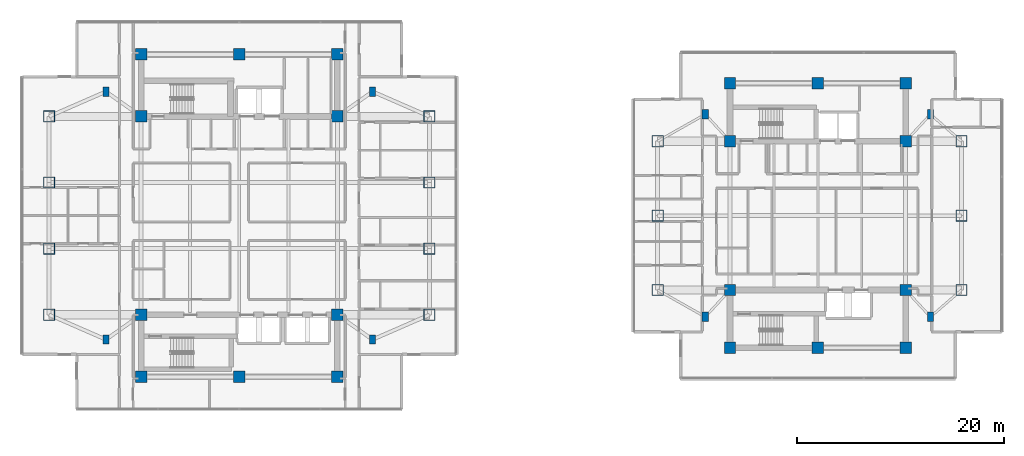
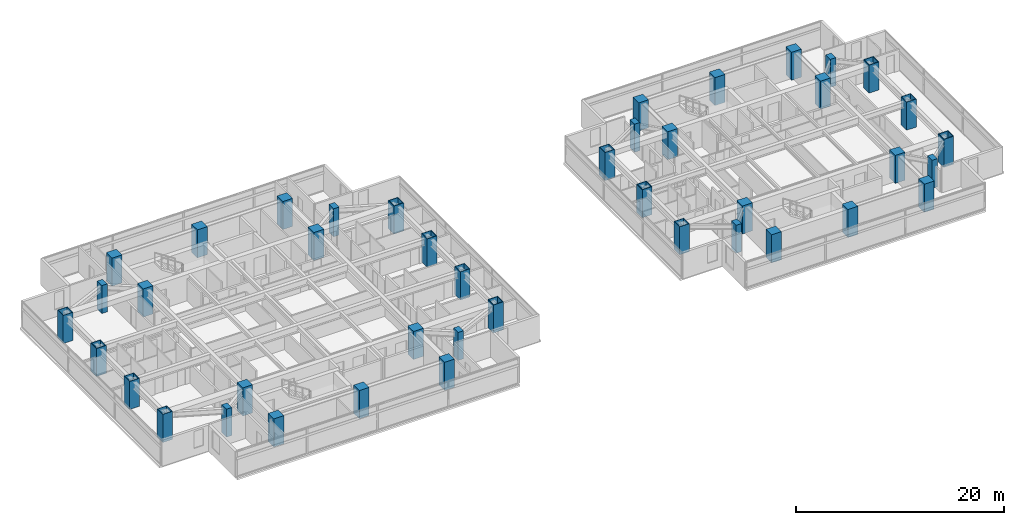
# One storey, part 1 of 25: 42 columns.
"""IFC4 building model written with IfcOpenShell, lengths in metres."""

from ifc_helpers import new_model, si_unit, direction, frame, origin, origin_2d, place, context, subcontext, project, spatial, rectangle, hollow_rectangle, extrude, material, material_profile, profile_set, type_object, element, save


model = new_model("IFC4")

# Units and contexts
model_context = context("Model", 3, precision=1e-05, world=origin(), true_north=direction((0.0, 1.0)))
body_context = subcontext(model_context, "Body", "Model", "MODEL_VIEW")
ifc_project = project(units=[si_unit("LENGTHUNIT", "METRE"), si_unit("AREAUNIT", "SQUARE_METRE"), si_unit("VOLUMEUNIT", "CUBIC_METRE"), si_unit("PLANEANGLEUNIT", "RADIAN"), si_unit("MASSUNIT", "GRAM", prefix="KILO")], contexts=[model_context])

# Site, building, storey
site_placement = place(None, origin())
site = spatial("IfcSite", under=ifc_project, at=site_placement, CompositionType="ELEMENT")
building_placement = place(site_placement, origin())
building = spatial("IfcBuilding", under=site, at=building_placement, Name="Mirazonda Arch Towers", CompositionType="ELEMENT")
storey_placement = place(building_placement, frame((0.0, 0.0, 131.300048828125)))
storey = spatial("IfcBuildingStorey", under=building, at=storey_placement, Name="L37", CompositionType="ELEMENT", Elevation=131.300048828125)

# Columns
ifc_material_1 = material(Name="Concrete C50/60", Category="concrete")
ifc_material_profile_1 = material_profile(ifc_material_1, rectangle(XDim=1.10009765625, YDim=1.10009765625, at=origin_2d()), Name="RC1100x1100")
ifc_profile_set_1 = profile_set([ifc_material_profile_1], Name="Concrete C50/60")
column_type_1 = type_object("IfcColumnType", Name="COL-INT-RC1100x1100", PredefinedType="COLUMN", material=ifc_profile_set_1)
for number, where, z_axis, x_axis, name in (
    (1, (11.0, 12.39990234375, 0.0), (0.0, 0.0, 1.0), (1.0, 0.0, 0.0), "L37 T1 Core Column 01"),
    (2, (20.5, 12.39990234375, 0.0), (0.0, 0.0, 1.0), (1.0, 0.0, 0.0), "L37 T1 Core Column 02"),
    (3, (30.0, 12.39990234375, 0.0), (0.0, 0.0, 1.0), (1.0, 0.0, 0.0), "L37 T1 Core Column 03"),
    (4, (11.0, 18.39990234375, 0.0), (0.0, 0.0, 1.0), (1.0, 0.0, 0.0), "L37 T1 Core Column 04"),
    (5, (30.0, 18.39990234375, 0.0), (0.0, 0.0, 1.0), (1.0, 0.0, 0.0), "L37 T1 Core Column 05"),
    (6, (11.0, 37.60009765625, 0.0), (0.0, 0.0, 1.0), (1.0, 0.0, 0.0), "L37 T1 Core Column 06"),
    (7, (30.0, 37.60009765625, 0.0), (0.0, 0.0, 1.0), (1.0, 0.0, 0.0), "L37 T1 Core Column 07"),
    (8, (11.0, 43.60009765625, 0.0), (0.0, 0.0, 1.0), (1.0, 0.0, 0.0), "L37 T1 Core Column 08"),
    (9, (20.5, 43.60009765625, 0.0), (0.0, 0.0, 1.0), (1.0, 0.0, 0.0), "L37 T1 Core Column 09"),
    (10, (30.0, 43.60009765625, 0.0), (0.0, 0.0, 1.0), (1.0, 0.0, 0.0), "L37 T1 Core Column 10"),
    (11, (68.0, 15.199951171875, 0.0), (0.0, 0.0, 1.0), (1.0, 0.0, 0.0), "L37 T2 Core Column 01"),
    (12, (76.5, 15.199951171875, 0.0), (0.0, 0.0, 1.0), (1.0, 0.0, 0.0), "L37 T2 Core Column 02"),
    (13, (85.0, 15.199951171875, 0.0), (0.0, 0.0, 1.0), (1.0, 0.0, 0.0), "L37 T2 Core Column 03"),
    (14, (68.0, 20.800048828125, 0.0), (0.0, 0.0, 1.0), (1.0, 0.0, 0.0), "L37 T2 Core Column 04"),
    (15, (85.0, 20.800048828125, 0.0), (0.0, 0.0, 1.0), (1.0, 0.0, 0.0), "L37 T2 Core Column 05"),
    (16, (68.0, 35.199951171875, 0.0), (0.0, 0.0, 1.0), (1.0, 0.0, 0.0), "L37 T2 Core Column 06"),
    (17, (85.0, 35.199951171875, 0.0), (0.0, 0.0, 1.0), (1.0, 0.0, 0.0), "L37 T2 Core Column 07"),
    (18, (68.0, 40.800048828125, 0.0), (0.0, 0.0, 1.0), (1.0, 0.0, 0.0), "L37 T2 Core Column 08"),
    (19, (76.5, 40.800048828125, 0.0), (0.0, 0.0, 1.0), (1.0, 0.0, 0.0), "L37 T2 Core Column 09"),
    (20, (85.0, 40.800048828125, 0.0), (0.0, 0.0, 1.0), (1.0, 0.0, 0.0), "L37 T2 Core Column 10"),
):
    element("IfcColumn", number, at=place(storey_placement, frame(where, z_axis=z_axis, x_axis=x_axis)), inside=storey, type_object=column_type_1, Name=name, PredefinedType="COLUMN", context=body_context, shape_type="SweptSolid", body=[
        extrude(rectangle(XDim=1.10009765625, YDim=1.10009765625, at=origin_2d()), origin(), (0.0, 0.0, 1.0), 3.300048828125),
    ])
ifc_material_2 = material(Name="Steel ASTM A572 Grade 50", Category="steel")
ifc_material_profile_2 = material_profile(ifc_material_2, hollow_rectangle(XDim=1.10009765625, YDim=1.10009765625, WallThickness=0.06005859375, at=origin_2d()), Name="BOX1100x1100x60")
ifc_profile_set_2 = profile_set([ifc_material_profile_2], Name="Steel ASTM A572 Grade 50")
column_type_2 = type_object("IfcColumnType", Name="MCOL-EXT-BOX1100x1100x60", PredefinedType="COLUMN", material=ifc_profile_set_2)
for number, where, z_axis, x_axis, name in (
    (21, (2.10009765625, 18.39990234375, 0.0), (0.0, 0.0, 1.0), (1.0, 0.0, 0.0), "L37 T1 Composite Mega-Column 01"),
    (22, (2.10009765625, 24.800048828125, 0.0), (0.0, 0.0, 1.0), (1.0, 0.0, 0.0), "L37 T1 Composite Mega-Column 02"),
    (23, (2.10009765625, 31.199951171875, 0.0), (0.0, 0.0, 1.0), (1.0, 0.0, 0.0), "L37 T1 Composite Mega-Column 03"),
    (24, (2.10009765625, 37.60009765625, 0.0), (0.0, 0.0, 1.0), (1.0, 0.0, 0.0), "L37 T1 Composite Mega-Column 04"),
    (25, (38.89990234375, 18.39990234375, 0.0), (0.0, 0.0, 1.0), (1.0, 0.0, 0.0), "L37 T1 Composite Mega-Column 05"),
    (26, (38.89990234375, 24.800048828125, 0.0), (0.0, 0.0, 1.0), (1.0, 0.0, 0.0), "L37 T1 Composite Mega-Column 06"),
    (27, (38.89990234375, 31.199951171875, 0.0), (0.0, 0.0, 1.0), (1.0, 0.0, 0.0), "L37 T1 Composite Mega-Column 07"),
    (28, (38.89990234375, 37.60009765625, 0.0), (0.0, 0.0, 1.0), (1.0, 0.0, 0.0), "L37 T1 Composite Mega-Column 08"),
    (29, (61.0, 20.800048828125, 0.0), (0.0, 0.0, 1.0), (1.0, 0.0, 0.0), "L37 T2 Composite Mega-Column 01"),
    (30, (61.0, 28.0, 0.0), (0.0, 0.0, 1.0), (1.0, 0.0, 0.0), "L37 T2 Composite Mega-Column 02"),
    (31, (61.0, 35.199951171875, 0.0), (0.0, 0.0, 1.0), (1.0, 0.0, 0.0), "L37 T2 Composite Mega-Column 03"),
    (32, (90.39990234375, 20.800048828125, 0.0), (0.0, 0.0, 1.0), (1.0, 0.0, 0.0), "L37 T2 Composite Mega-Column 04"),
    (33, (90.39990234375, 28.0, 0.0), (0.0, 0.0, 1.0), (1.0, 0.0, 0.0), "L37 T2 Composite Mega-Column 05"),
    (34, (90.39990234375, 35.199951171875, 0.0), (0.0, 0.0, 1.0), (1.0, 0.0, 0.0), "L37 T2 Composite Mega-Column 06"),
):
    element("IfcColumn", number, at=place(storey_placement, frame(where, z_axis=z_axis, x_axis=x_axis)), inside=storey, type_object=column_type_2, Name=name, PredefinedType="COLUMN", context=body_context, shape_type="SweptSolid", body=[
        extrude(hollow_rectangle(XDim=1.10009765625, YDim=1.10009765625, WallThickness=0.06005859375, at=origin_2d()), origin(), (0.0, 0.0, 1.0), 3.300048828125),
    ])
ifc_material_profile_3 = material_profile(ifc_material_1, rectangle(XDim=0.60009765625, YDim=0.89990234375, at=origin_2d()), Name="RC900x600")
ifc_profile_set_3 = profile_set([ifc_material_profile_3], Name="Concrete C50/60")
column_type_3 = type_object("IfcColumnType", Name="PIL-EXT-RC900x600", PredefinedType="PILASTER", material=ifc_profile_set_3)
for number, where, z_axis, x_axis, name in (
    (35, (7.60009765625, 16.0, 0.0), (0.0, 0.0, 1.0), (1.0, 0.0, 0.0), "L37 T1 Corner Pilaster 01"),
    (36, (33.39990234375, 16.0, 0.0), (0.0, 0.0, 1.0), (1.0, 0.0, 0.0), "L37 T1 Corner Pilaster 02"),
    (37, (7.60009765625, 40.0, 0.0), (0.0, 0.0, 1.0), (1.0, 0.0, 0.0), "L37 T1 Corner Pilaster 03"),
    (38, (33.39990234375, 40.0, 0.0), (0.0, 0.0, 1.0), (1.0, 0.0, 0.0), "L37 T1 Corner Pilaster 04"),
    (39, (65.60009765625, 18.199951171875, 0.0), (0.0, 0.0, 1.0), (1.0, 0.0, 0.0), "L37 T2 Corner Pilaster 01"),
    (40, (87.39990234375, 18.199951171875, 0.0), (0.0, 0.0, 1.0), (1.0, 0.0, 0.0), "L37 T2 Corner Pilaster 02"),
    (41, (65.60009765625, 37.800048828125, 0.0), (0.0, 0.0, 1.0), (1.0, 0.0, 0.0), "L37 T2 Corner Pilaster 03"),
    (42, (87.39990234375, 37.800048828125, 0.0), (0.0, 0.0, 1.0), (1.0, 0.0, 0.0), "L37 T2 Corner Pilaster 04"),
):
    element("IfcColumn", number, at=place(storey_placement, frame(where, z_axis=z_axis, x_axis=x_axis)), inside=storey, type_object=column_type_3, Name=name, PredefinedType="PILASTER", context=body_context, shape_type="SweptSolid", body=[
        extrude(rectangle(XDim=0.60009765625, YDim=0.89990234375, at=origin_2d()), origin(), (0.0, 0.0, 1.0), 3.300048828125),
    ])

save(model, "model.ifc")
